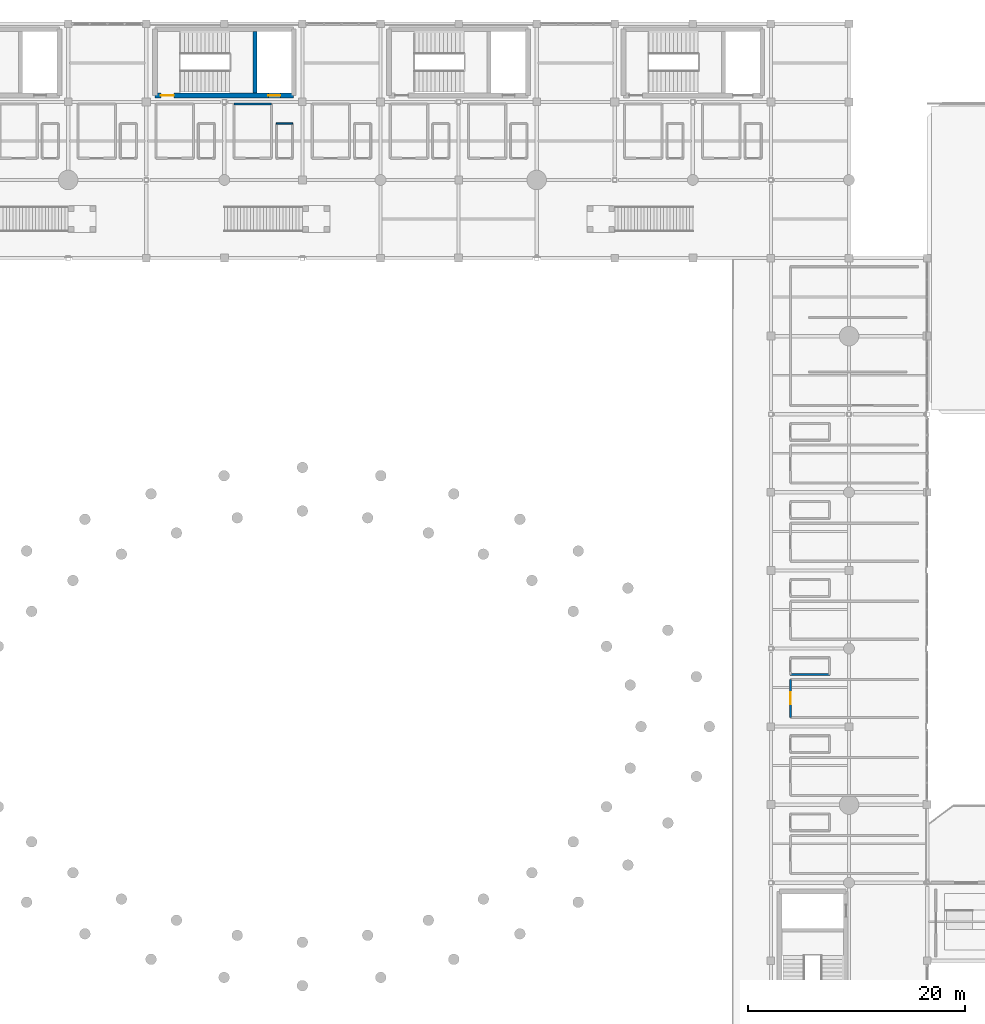
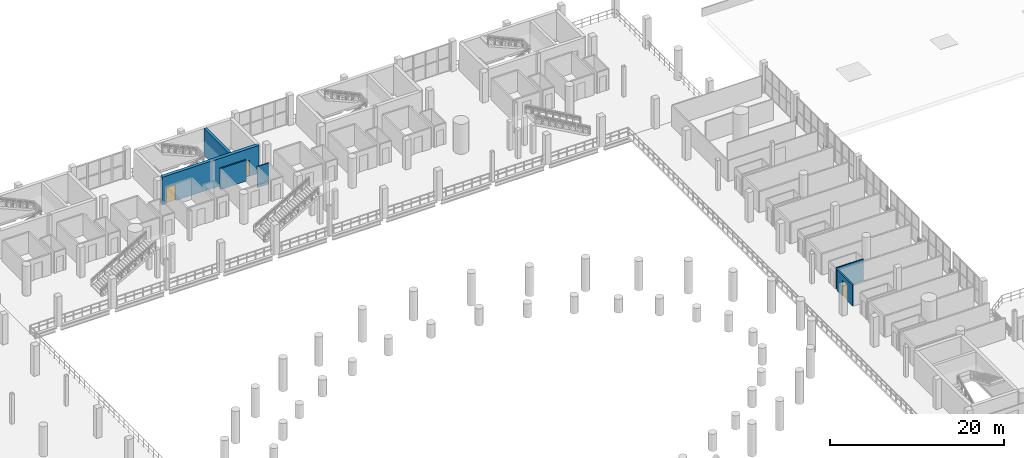
# One storey, part 108 of 130: 6 walls, 3 doors, 3 openings.
"""IFC4 building model written with IfcOpenShell, lengths in metres."""

from ifc_helpers import new_model, si_unit, direction, frame, frame_2d, origin, place, context, subcontext, project, spatial, rectangle, extrude, material, layer, layer_set, type_object, element, fill, save


model = new_model("IFC4")

# Units and contexts
model_context = context("Model", 3, precision=1e-05, world=origin(), true_north=direction((0.0, 1.0)))
body_context = subcontext(model_context, "Body", "Model", "MODEL_VIEW")
ifc_project = project(units=[si_unit("LENGTHUNIT", "METRE"), si_unit("AREAUNIT", "SQUARE_METRE"), si_unit("VOLUMEUNIT", "CUBIC_METRE"), si_unit("PLANEANGLEUNIT", "RADIAN"), si_unit("MASSUNIT", "GRAM", prefix="KILO")], contexts=[model_context])

# Site, building, storey
site_placement = place(None, origin())
site = spatial("IfcSite", under=ifc_project, at=site_placement, CompositionType="ELEMENT")
building_placement = place(site_placement, origin())
building = spatial("IfcBuilding", under=site, at=building_placement, Name="Qandorah Velis Arena", CompositionType="ELEMENT")
storey_placement = place(building_placement, frame((0.0, 0.0, 9.60009765625)))
storey = spatial("IfcBuildingStorey", under=building, at=storey_placement, Name="L02", CompositionType="ELEMENT", Elevation=9.60009765625)

# Wall
ifc_material_1 = material(Name="Concrete C35/45", Category="concrete")
ifc_layer_1 = layer(ifc_material_1, 0.199951171875)
ifc_layer_set_1 = layer_set([ifc_layer_1], Name="Concrete C35/45")
wall_type_1 = type_object("IfcWallType", Name="ARC-WAL-FD60-200", PredefinedType="PARTITIONING", material=ifc_layer_set_1)
wall_1_placement = place(storey_placement, frame((61.949951171875, 122.199951171875, 0.0), z_axis=(0.0, 0.0, 1.0), x_axis=(-1.0, 0.0, 0.0)))
element("IfcWall", 1, at=wall_1_placement, inside=storey, type_object=wall_type_1, Name="Interior partition L02-HS-21 (N)", PredefinedType="PARTITIONING", context=body_context, shape_type="SweptSolid", body=[
    extrude(rectangle(XDim=3.449951171875, YDim=0.199951171875, at=frame_2d((1.72509765625, 0.0))), origin(), (0.0, 0.0, 1.0), 2.93994140625),
])

# Wall, opening, door
wall_2_placement = place(storey_placement, frame((109.800048828125, 69.14990234375, 0.0), z_axis=(0.0, 0.0, 1.0), x_axis=(0.0, -1.0, 0.0)))
wall_2 = element("IfcWall", 2, at=wall_2_placement, inside=storey, type_object=wall_type_1, Name="Interior partition L02-HS-29 (W)", PredefinedType="PARTITIONING", context=body_context, shape_type="SweptSolid", body=[
    extrude(rectangle(XDim=3.5, YDim=0.199951171875, at=frame_2d((1.75, 0.0))), origin(), (0.0, 0.0, 1.0), 2.93994140625),
])
opening_1_placement = place(wall_2_placement, frame((1.199951171875, 0.0, 0.0)))
opening_1 = element("IfcOpeningElement", 3, at=opening_1_placement, cuts=wall_2, Name="Opening D7", PredefinedType="OPENING", context=body_context, shape_type="SweptSolid", body=[
    extrude(rectangle(XDim=1.10009765625, YDim=2.25, at=frame_2d((0.550048828125, 1.125))), frame((0.0, 0.10986328125, 0.0), z_axis=(0.0, -1.0, 0.0), x_axis=(1.0, 0.0, 0.0)), (0.0, 0.0, 1.0), 0.219970703125),
])
ifc_material_2 = material(Name="Hospitality suite acoustic walnut door")
door_type_1 = type_object("IfcDoorType", Name="ARC-DR-INT1100", OperationType="NOTDEFINED", PredefinedType="DOOR", material=ifc_material_2)
door_1_placement = place(opening_1_placement, origin())
door_1 = element("IfcDoor", 4, at=door_1_placement, inside=storey, type_object=door_type_1, Name="Door L02-HS-29", OperationType="SINGLE_SWING_LEFT", OverallHeight=2.25, OverallWidth=1.10009765625, PredefinedType="DOOR", context=body_context, shape_type="SweptSolid", body=[
    extrude(rectangle(XDim=1.10009765625, YDim=2.25, at=frame_2d((0.550048828125, 1.125))), frame((0.0, 0.02490234375, 0.0), z_axis=(0.0, -1.0, 0.0), x_axis=(1.0, 0.0, 0.0)), (0.0, 0.0, 1.0), 0.050048828125),
])
fill(opening_1, door_1)

# Walls
ifc_layer_2 = layer(ifc_material_1, 0.14990234375)
ifc_layer_set_2 = layer_set([ifc_layer_2], Name="Concrete C35/45")
wall_type_2 = type_object("IfcWallType", Name="ARC-WAL-PART150", PredefinedType="PARTITIONING", material=ifc_layer_set_2)
wall_3_placement = place(storey_placement, frame((63.89990234375, 120.39990234375, 0.0), z_axis=(0.0, 0.0, 1.0), x_axis=(-1.0, 0.0, 0.0)))
element("IfcWall", 5, at=wall_3_placement, inside=storey, type_object=wall_type_2, Name="Interior partition L02-HSWC-21 (N)", PredefinedType="PARTITIONING", context=body_context, shape_type="SweptSolid", body=[
    extrude(rectangle(XDim=1.5, YDim=0.14990234375, at=frame_2d((0.75, 0.0))), origin(), (0.0, 0.0, 1.0), 2.93994140625),
])
wall_4_placement = place(storey_placement, frame((109.800048828125, 69.60009765625, 0.0), z_axis=(0.0, 0.0, 1.0), x_axis=(1.0, 0.0, 0.0)))
element("IfcWall", 6, at=wall_4_placement, inside=storey, type_object=wall_type_2, Name="Interior partition L02-HSWC-29 (S)", PredefinedType="PARTITIONING", context=body_context, shape_type="SweptSolid", body=[
    extrude(rectangle(XDim=3.599853515625, YDim=0.14990234375, at=frame_2d((1.7998046875, 0.0))), origin(), (0.0, 0.0, 1.0), 2.93994140625),
])

# Wall, openings, doors
ifc_material_3 = material(Name="Concrete C40/50", Category="concrete")
ifc_layer_3 = layer(ifc_material_3, 0.449951171875)
ifc_layer_set_3 = layer_set([ifc_layer_3], Name="Concrete C40/50")
wall_type_3 = type_object("IfcWallType", Name="STR-WAL-CORE450", PredefinedType="SHEAR", material=ifc_layer_set_3)
wall_5_placement = place(storey_placement, frame((51.199951171875, 123.0, 0.0), z_axis=(0.0, 0.0, 1.0), x_axis=(1.0, 0.0, 0.0)))
wall_5 = element("IfcWall", 7, at=wall_5_placement, inside=storey, type_object=wall_type_3, Name="Core CORE-10 shear wall S (L02)", PredefinedType="SHEAR", context=body_context, shape_type="SweptSolid", body=[
    extrude(rectangle(XDim=12.800048828125, YDim=0.449951171875, at=frame_2d((6.39990234375, 0.0))), origin(), (0.0, 0.0, 1.0), 3.8798828125),
])
opening_2_placement = place(wall_5_placement, frame((0.550048828125, 0.0, 0.0)))
opening_2 = element("IfcOpeningElement", 8, at=opening_2_placement, cuts=wall_5, Name="Opening SD1", PredefinedType="OPENING", context=body_context, shape_type="SweptSolid", body=[
    extrude(rectangle(XDim=1.199951171875, YDim=2.25, at=frame_2d((0.60009765625, 1.125))), frame((0.0, 0.23486328125, 0.0), z_axis=(0.0, -1.0, 0.0), x_axis=(1.0, 0.0, 0.0)), (0.0, 0.0, 1.0), 0.469970703125),
])
opening_3_placement = place(wall_5_placement, frame((10.4580078125, 0.0, 0.0)))
opening_3 = element("IfcOpeningElement", 9, at=opening_3_placement, cuts=wall_5, Name="Opening LD1", PredefinedType="OPENING", context=body_context, shape_type="SweptSolid", body=[
    extrude(rectangle(XDim=1.10009765625, YDim=2.199951171875, at=frame_2d((0.550048828125, 1.10009765625))), frame((0.0, 0.23486328125, 0.0), z_axis=(0.0, -1.0, 0.0), x_axis=(1.0, 0.0, 0.0)), (0.0, 0.0, 1.0), 0.469970703125),
])
ifc_material_4 = material(Name="Stainless steel sliding lift landing door", Category="steel")
door_type_2 = type_object("IfcDoorType", Name="ARC-DR-LD1100", OperationType="NOTDEFINED", PredefinedType="DOOR", material=ifc_material_4)
door_2_placement = place(opening_3_placement, origin())
door_2 = element("IfcDoor", 10, at=door_2_placement, inside=storey, type_object=door_type_2, Name="Lift PL7 sliding landing door (L02)", OperationType="SLIDING_TO_LEFT", OverallHeight=2.199951171875, OverallWidth=1.10009765625, PredefinedType="DOOR", context=body_context, shape_type="SweptSolid", body=[
    extrude(rectangle(XDim=1.10009765625, YDim=2.199951171875, at=frame_2d((0.550048828125, 1.10009765625))), frame((0.0, 0.02490234375, 0.0), z_axis=(0.0, -1.0, 0.0), x_axis=(1.0, 0.0, 0.0)), (0.0, 0.0, 1.0), 0.050048828125),
])
fill(opening_3, door_2)
ifc_material_5 = material(Name="Self-closing fire-rated stair steel door", Category="steel")
door_type_3 = type_object("IfcDoorType", Name="ARC-DR-ST1200", OperationType="NOTDEFINED", PredefinedType="DOOR", material=ifc_material_5)
door_3_placement = place(opening_2_placement, origin())
door_3 = element("IfcDoor", 11, at=door_3_placement, inside=storey, type_object=door_type_3, Name="Stair ST10 fire door (L02)", OperationType="SINGLE_SWING_RIGHT", OverallHeight=2.25, OverallWidth=1.199951171875, PredefinedType="DOOR", context=body_context, shape_type="SweptSolid", body=[
    extrude(rectangle(XDim=1.199951171875, YDim=2.25, at=frame_2d((0.60009765625, 1.125))), frame((0.0, 0.02490234375, 0.0), z_axis=(0.0, -1.0, 0.0), x_axis=(1.0, 0.0, 0.0)), (0.0, 0.0, 1.0), 0.050048828125),
])
fill(opening_2, door_3)

# Wall
ifc_layer_4 = layer(ifc_material_3, 0.35009765625)
ifc_layer_set_4 = layer_set([ifc_layer_4], Name="Concrete C40/50")
wall_type_4 = type_object("IfcWallType", Name="STR-WAL-SH350", PredefinedType="SHEAR", material=ifc_layer_set_4)
wall_6_placement = place(storey_placement, frame((60.416015625, 123.22509765625, 0.0), z_axis=(0.0, 0.0, 1.0), x_axis=(0.0, 1.0, 0.0)))
element("IfcWall", 12, at=wall_6_placement, inside=storey, type_object=wall_type_4, Name="Core CORE-10 shaft divider shear wall (L02)", PredefinedType="SHEAR", context=body_context, shape_type="SweptSolid", body=[
    extrude(rectangle(XDim=5.64990234375, YDim=0.35009765625, at=frame_2d((2.824951171875, 0.0))), origin(), (0.0, 0.0, 1.0), 3.8798828125),
])

save(model, "model.ifc")
